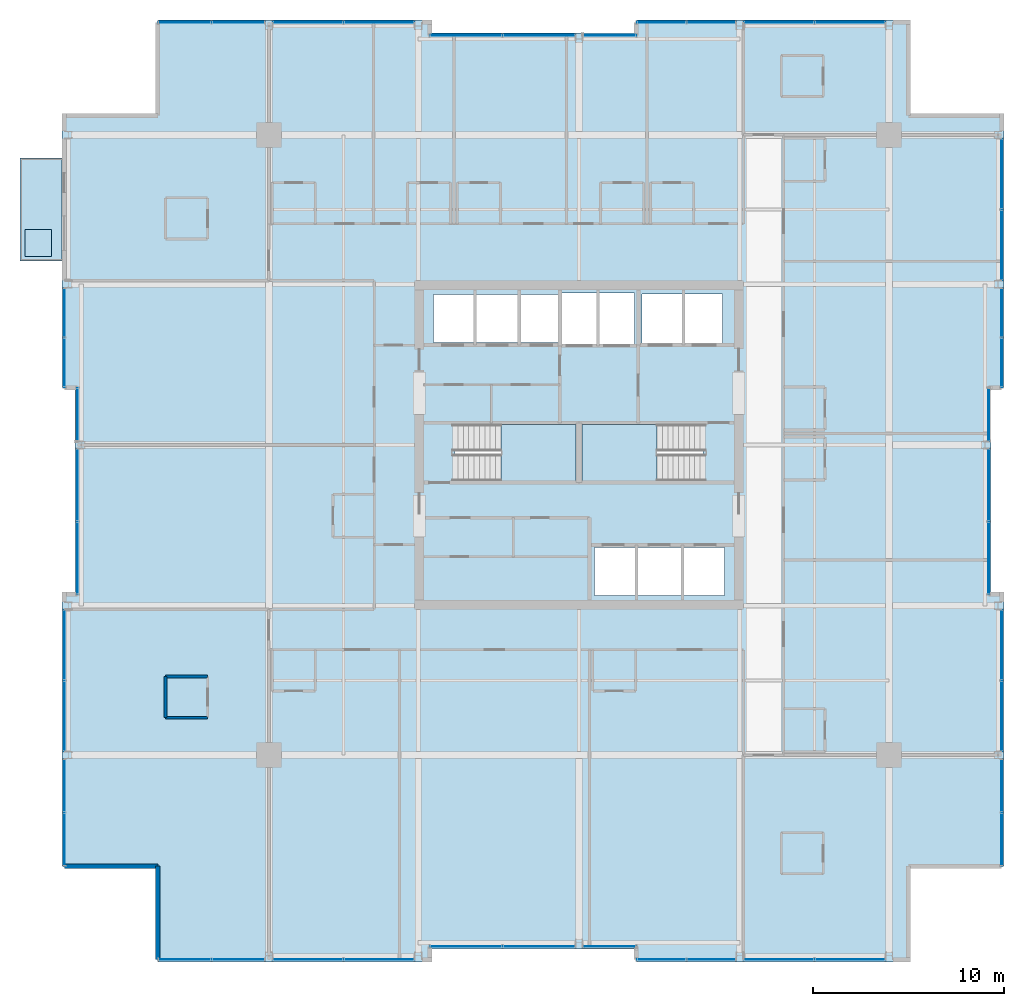
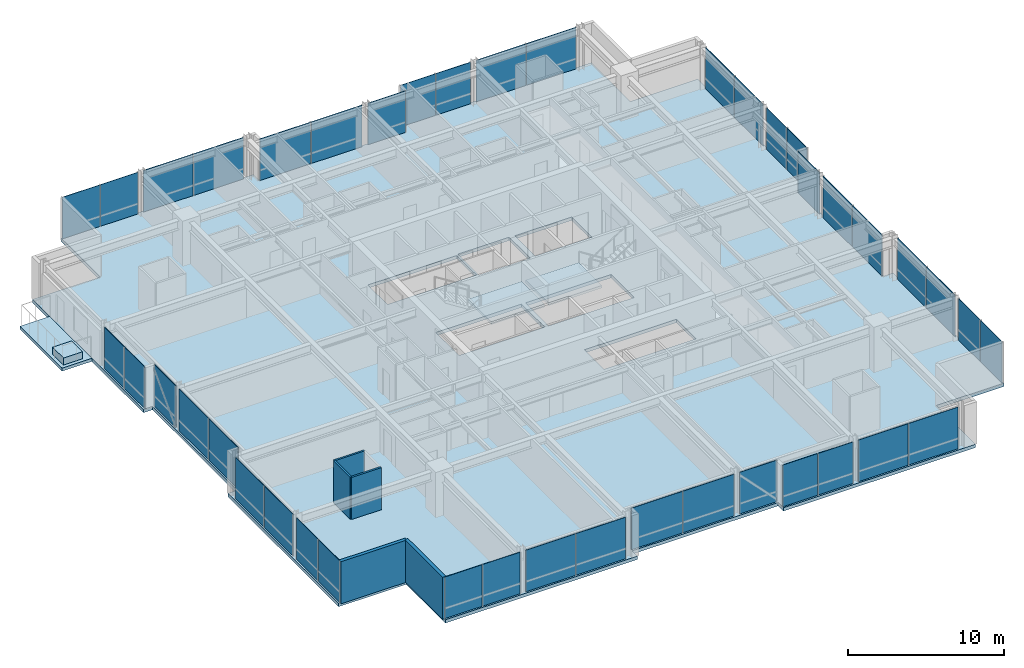
# One storey, part 24 of 32: 42 plates, 5 slabs, 5 walls, 25 elements without a shape of their own.
"""IFC4 building model written with IfcOpenShell, lengths in metres."""

from ifc_helpers import new_model, si_unit, direction, frame, frame_2d, origin, origin_2d, place, context, subcontext, project, spatial, polyline, rectangle, outline, extrude, material, layer, layer_set, type_object, element, aggregate, save


model = new_model("IFC4")

# Units and contexts
model_context = context("Model", 3, precision=1e-05, world=origin(), true_north=direction((0.0, 1.0)))
body_context = subcontext(model_context, "Body", "Model", "MODEL_VIEW")
ifc_project = project(units=[si_unit("LENGTHUNIT", "METRE"), si_unit("AREAUNIT", "SQUARE_METRE"), si_unit("VOLUMEUNIT", "CUBIC_METRE"), si_unit("PLANEANGLEUNIT", "RADIAN"), si_unit("MASSUNIT", "GRAM", prefix="KILO")], contexts=[model_context])

# Site, building, storey
site_placement = place(None, origin())
site = spatial("IfcSite", under=ifc_project, at=site_placement, CompositionType="ELEMENT")
building_placement = place(site_placement, origin())
building = spatial("IfcBuilding", under=site, at=building_placement, Name="Drelvath Grand Hotel", CompositionType="ELEMENT")
storey_placement = place(building_placement, frame((0.0, 0.0, 189.449951171875)))
storey = spatial("IfcBuildingStorey", under=building, at=storey_placement, Name="L49", CompositionType="ELEMENT", Elevation=189.449951171875)

# Slabs
ifc_material_1 = material(Name="Concrete f'c 40 MPa", Category="concrete")
ifc_layer_1 = layer(ifc_material_1, 0.239990234375)
ifc_layer_set_1 = layer_set([ifc_layer_1], Name="Concrete f'c 40 MPa")
slab_type_1 = type_object("IfcSlabType", Name="Cantilevered Tree Balcony Slab 240", PredefinedType="FLOOR", material=ifc_layer_set_1)
slab_1_placement = place(storey_placement, frame((0.0, 0.0, -0.239990234375)))
element("IfcSlab", 1, at=slab_1_placement, inside=storey, type_object=slab_type_1, Name="L49 Cantilevered Tree Balcony Slab 1", PredefinedType="FLOOR", context=body_context, shape_type="SweptSolid", body=[
    extrude(outline(polyline([(-29.199951171875, 36.60009765625), (-27.0, 36.60009765625), (-27.0, 42.0), (-29.199951171875, 42.0), (-29.199951171875, 36.60009765625)])), origin(), (0.0, 0.0, 1.0), 0.239990234375),
])
ifc_layer_2 = layer(ifc_material_1, 0.260009765625)
ifc_layer_set_2 = layer_set([ifc_layer_2], Name="Concrete f'c 40 MPa")
slab_type_2 = type_object("IfcSlabType", Name="Composite RC Floor Slab 260", PredefinedType="FLOOR", material=ifc_layer_set_2)
slab_2_placement = place(storey_placement, frame((0.0, 0.0, -0.260009765625)))
element("IfcSlab", 2, at=slab_2_placement, inside=storey, type_object=slab_type_2, Name="L49 Structural Floor Slab", PredefinedType="FLOOR", context=body_context, shape_type="SweptSolid", body=[
    extrude(outline(polyline([(-22.0, 0.0), (-7.800048828125, 0.0), (-7.800048828125, 0.679931640625), (3.0, 0.679931640625), (3.0, 0.0), (17.199951171875, 0.0), (17.199951171875, 5.0), (22.199951171875, 5.0), (22.199951171875, 19.199951171875), (21.52001953125, 19.199951171875), (21.52001953125, 30.0), (22.199951171875, 30.0), (22.199951171875, 44.199951171875), (17.199951171875, 44.199951171875), (17.199951171875, 49.199951171875), (3.0, 49.199951171875), (3.0, 48.52001953125), (-7.800048828125, 48.52001953125), (-7.800048828125, 49.199951171875), (-22.0, 49.199951171875), (-22.0, 44.199951171875), (-27.0, 44.199951171875), (-27.0, 30.0), (-26.320068359375, 30.0), (-26.320068359375, 19.199951171875), (-27.0, 19.199951171875), (-27.0, 5.0), (-22.0, 5.0), (-22.0, 0.0)]), holes=[polyline([(-6.47998046875, 25.1201171875), (-6.47998046875, 28.080078125), (-0.14990234375, 28.080078125), (-0.14990234375, 25.1201171875), (-6.47998046875, 25.1201171875)]), polyline([(0.14990234375, 25.1201171875), (0.14990234375, 28.080078125), (6.47998046875, 28.080078125), (6.47998046875, 25.1201171875), (0.14990234375, 25.1201171875)]), polyline([(0.800048828125, 19.14990234375), (0.800048828125, 21.64990234375), (7.60009765625, 21.64990234375), (7.60009765625, 19.14990234375), (0.800048828125, 19.14990234375)]), polyline([(-7.60009765625, 32.35009765625), (-7.60009765625, 34.85009765625), (-1.02001953125, 34.85009765625), (-1.02001953125, 32.35009765625), (-7.60009765625, 32.35009765625)]), polyline([(-0.89990234375, 32.25), (-0.89990234375, 34.949951171875), (2.89990234375, 34.949951171875), (2.89990234375, 32.25), (-0.89990234375, 32.25)]), polyline([(3.300048828125, 32.300048828125), (3.300048828125, 34.89990234375), (7.5, 34.89990234375), (7.5, 32.300048828125), (3.300048828125, 32.300048828125)])]), origin(), (0.0, 0.0, 1.0), 0.260009765625),
])

# Stair, slab
ifc_material_2 = material(Name="Concrete C40/50", Category="concrete")
stair_type = type_object("IfcStairType", Name="Dogleg Exit Stair W1400-R177.5", PredefinedType="HALF_TURN_STAIR", material=ifc_material_2)
stair_1_placement = place(storey_placement, origin())
stair_1 = element("IfcStair", 3, at=stair_1_placement, inside=storey, type_object=stair_type, Name="L49 Core Exit Stair ST-1", PredefinedType="HALF_TURN_STAIR")
ifc_layer_3 = layer(ifc_material_2, 0.199951171875)
ifc_layer_set_3 = layer_set([ifc_layer_3], Name="Concrete C40/50")
slab_type_3 = type_object("IfcSlabType", Name="Concrete Stair Landing Slab 200", PredefinedType="LANDING", material=ifc_layer_set_3)
slab_3_placement = place(storey_placement, frame((0.0, 0.0, 1.574951171875)))
slab_3 = element("IfcSlab", 4, at=slab_3_placement, type_object=slab_type_3, Name="ST-1 landing 1", PredefinedType="LANDING", context=body_context, shape_type="SweptSolid", body=[
    extrude(outline(polyline([(-4.080078125, 25.1201171875), (-0.14990234375, 25.1201171875), (-0.14990234375, 28.080078125), (-4.080078125, 28.080078125), (-4.080078125, 25.1201171875)])), origin(), (0.0, 0.0, 1.0), 0.2001953125),
])
aggregate(stair_1, [slab_3])

stair_2_placement = place(storey_placement, origin())
stair_2 = element("IfcStair", 5, at=stair_2_placement, inside=storey, type_object=stair_type, Name="L49 Core Exit Stair ST-2", PredefinedType="HALF_TURN_STAIR")
slab_4_placement = place(storey_placement, frame((0.0, 0.0, 1.574951171875)))
slab_4 = element("IfcSlab", 6, at=slab_4_placement, type_object=slab_type_3, Name="ST-2 landing 1", PredefinedType="LANDING", context=body_context, shape_type="SweptSolid", body=[
    extrude(outline(polyline([(4.080078125, 28.080078125), (0.14990234375, 28.080078125), (0.14990234375, 25.1201171875), (4.080078125, 25.1201171875), (4.080078125, 28.080078125)])), origin(), (0.0, 0.0, 1.0), 0.2001953125),
])
aggregate(stair_2, [slab_4])

# Curtain wall, plates
ifc_material_3 = material(Name="Brushed Pale-Silver Anodised Aluminium Frame", Category="aluminium")
ifc_layer_4 = layer(ifc_material_3, 0.199951171875)
ifc_layer_set_4 = layer_set([ifc_layer_4], Name="Brushed Pale-Silver Anodised Aluminium Frame")
curtain_wall_type = type_object("IfcCurtainWallType", Name="Stick Curtain Wall CW-04 Brushed Silver Upper-Mid", PredefinedType="NOTDEFINED", material=ifc_layer_set_4)
curtain_wall_1_placement = place(storey_placement, origin())
curtain_wall_1 = element("IfcCurtainWall", 7, at=curtain_wall_1_placement, inside=storey, type_object=curtain_wall_type, Name="L49 CW-04 Curtain Wall CW04-L49-WS1", PredefinedType="NOTDEFINED")
ifc_material_4 = material(Name="Low-E Triple Silver Vision Glass Cool", Category="glass")
ifc_layer_5 = layer(ifc_material_4, 0.035888671875)
ifc_layer_set_5 = layer_set([ifc_layer_5], Name="Low-E Triple Silver Vision Glass Cool")
plate_type = type_object("IfcPlateType", Name="Curtain Wall Vision Panel CW-04 36mm", PredefinedType="CURTAIN_PANEL", material=ifc_layer_set_5)
plate_1_placement = place(storey_placement, frame((-26.8798828125, 6.402099609375, 0.02001953125), z_axis=(0.0, 0.0, 1.0), x_axis=(0.0, 1.0, 0.0)))
plate_1 = element("IfcPlate", 8, at=plate_1_placement, type_object=plate_type, Name="CW04-L49-WS1 Glazed Panel 1", PredefinedType="CURTAIN_PANEL", context=body_context, shape_type="SweptSolid", body=[
    extrude(rectangle(XDim=2.76416015625, YDim=0.035888671875, at=origin_2d()), origin(), (0.0, 0.0, 1.0), 3.25),
])
plate_2_placement = place(storey_placement, frame((-26.8798828125, 9.206298828125, 0.02001953125), z_axis=(0.0, 0.0, 1.0), x_axis=(0.0, 1.0, 0.0)))
plate_2 = element("IfcPlate", 9, at=plate_2_placement, type_object=plate_type, Name="CW04-L49-WS1 Glazed Panel 2", PredefinedType="CURTAIN_PANEL", context=body_context, shape_type="SweptSolid", body=[
    extrude(rectangle(XDim=2.76416015625, YDim=0.035888671875, at=origin_2d()), origin(), (0.0, 0.0, 1.0), 3.25),
])
aggregate(curtain_wall_1, [plate_1, plate_2])

curtain_wall_2_placement = place(storey_placement, origin())
curtain_wall_2 = element("IfcCurtainWall", 10, at=curtain_wall_2_placement, inside=storey, type_object=curtain_wall_type, Name="L49 CW-04 Curtain Wall CW04-L49-WS2", PredefinedType="NOTDEFINED")
plate_3_placement = place(storey_placement, frame((-26.8798828125, 12.845947265625, 0.02001953125), z_axis=(0.0, 0.0, 1.0), x_axis=(0.0, 1.0, 0.0)))
plate_3 = element("IfcPlate", 11, at=plate_3_placement, type_object=plate_type, Name="CW04-L49-WS2 Glazed Panel 1", PredefinedType="CURTAIN_PANEL", context=body_context, shape_type="SweptSolid", body=[
    extrude(rectangle(XDim=3.66845703125, YDim=0.035888671875, at=origin_2d()), origin(), (0.0, 0.0, 1.0), 3.25),
])
plate_4_placement = place(storey_placement, frame((-26.8798828125, 16.55419921875, 0.02001953125), z_axis=(0.0, 0.0, 1.0), x_axis=(0.0, 1.0, 0.0)))
plate_4 = element("IfcPlate", 12, at=plate_4_placement, type_object=plate_type, Name="CW04-L49-WS2 Glazed Panel 2", PredefinedType="CURTAIN_PANEL", context=body_context, shape_type="SweptSolid", body=[
    extrude(rectangle(XDim=3.66845703125, YDim=0.035888671875, at=origin_2d()), origin(), (0.0, 0.0, 1.0), 3.25),
])
aggregate(curtain_wall_2, [plate_3, plate_4])

curtain_wall_3_placement = place(storey_placement, origin())
curtain_wall_3 = element("IfcCurtainWall", 13, at=curtain_wall_3_placement, inside=storey, type_object=curtain_wall_type, Name="L49 CW-04 Curtain Wall CW04-L49-WM1", PredefinedType="NOTDEFINED")
plate_5_placement = place(storey_placement, frame((-26.199951171875, 21.10205078125, 0.02001953125), z_axis=(0.0, 0.0, 1.0), x_axis=(0.0, 1.0, 0.0)))
plate_5 = element("IfcPlate", 14, at=plate_5_placement, type_object=plate_type, Name="CW04-L49-WM1 Glazed Panel 1", PredefinedType="CURTAIN_PANEL", context=body_context, shape_type="SweptSolid", body=[
    extrude(rectangle(XDim=3.76416015625, YDim=0.035888671875, at=origin_2d()), origin(), (0.0, 0.0, 1.0), 3.25),
])
plate_6_placement = place(storey_placement, frame((-26.199951171875, 24.90625, 0.02001953125), z_axis=(0.0, 0.0, 1.0), x_axis=(0.0, 1.0, 0.0)))
plate_6 = element("IfcPlate", 15, at=plate_6_placement, type_object=plate_type, Name="CW04-L49-WM1 Glazed Panel 2", PredefinedType="CURTAIN_PANEL", context=body_context, shape_type="SweptSolid", body=[
    extrude(rectangle(XDim=3.76416015625, YDim=0.035888671875, at=origin_2d()), origin(), (0.0, 0.0, 1.0), 3.25),
])
aggregate(curtain_wall_3, [plate_5, plate_6])

# Curtain wall, plate
curtain_wall_4_placement = place(storey_placement, origin())
curtain_wall_4 = element("IfcCurtainWall", 16, at=curtain_wall_4_placement, inside=storey, type_object=curtain_wall_type, Name="L49 CW-04 Curtain Wall CW04-L49-WM2", PredefinedType="NOTDEFINED")
plate_7_placement = place(storey_placement, frame((-26.199951171875, 28.595703125, 0.02001953125), z_axis=(0.0, 0.0, 1.0), x_axis=(0.0, 1.0, 0.0)))
plate_7 = element("IfcPlate", 17, at=plate_7_placement, type_object=plate_type, Name="CW04-L49-WM2 Glazed Panel 1", PredefinedType="CURTAIN_PANEL", context=body_context, shape_type="SweptSolid", body=[
    extrude(rectangle(XDim=2.768310546875, YDim=0.035888671875, at=origin_2d()), origin(), (0.0, 0.0, 1.0), 3.25),
])
aggregate(curtain_wall_4, [plate_7])

# Curtain wall, plates
curtain_wall_5_placement = place(storey_placement, origin())
curtain_wall_5 = element("IfcCurtainWall", 18, at=curtain_wall_5_placement, inside=storey, type_object=curtain_wall_type, Name="L49 CW-04 Curtain Wall CW04-L49-WN1", PredefinedType="NOTDEFINED")
plate_8_placement = place(storey_placement, frame((-26.8798828125, 31.302001953125, 0.02001953125), z_axis=(0.0, 0.0, 1.0), x_axis=(0.0, 1.0, 0.0)))
plate_8 = element("IfcPlate", 19, at=plate_8_placement, type_object=plate_type, Name="CW04-L49-WN1 Glazed Panel 1", PredefinedType="CURTAIN_PANEL", context=body_context, shape_type="SweptSolid", body=[
    extrude(rectangle(XDim=2.564208984375, YDim=0.035888671875, at=origin_2d()), origin(), (0.0, 0.0, 1.0), 3.25),
])
plate_9_placement = place(storey_placement, frame((-26.8798828125, 33.90625, 0.02001953125), z_axis=(0.0, 0.0, 1.0), x_axis=(0.0, 1.0, 0.0)))
plate_9 = element("IfcPlate", 20, at=plate_9_placement, type_object=plate_type, Name="CW04-L49-WN1 Glazed Panel 2", PredefinedType="CURTAIN_PANEL", context=body_context, shape_type="SweptSolid", body=[
    extrude(rectangle(XDim=2.564208984375, YDim=0.035888671875, at=origin_2d()), origin(), (0.0, 0.0, 1.0), 3.25),
])
aggregate(curtain_wall_5, [plate_8, plate_9])

curtain_wall_6_placement = place(storey_placement, origin())
curtain_wall_6 = element("IfcCurtainWall", 21, at=curtain_wall_6_placement, inside=storey, type_object=curtain_wall_type, Name="L49 CW-04 Curtain Wall CW04-L49-EN1", PredefinedType="NOTDEFINED")
plate_10_placement = place(storey_placement, frame((22.080078125, 33.90625, 0.02001953125), z_axis=(0.0, 0.0, 1.0), x_axis=(0.0, -1.0, 0.0)))
plate_10 = element("IfcPlate", 22, at=plate_10_placement, type_object=plate_type, Name="CW04-L49-EN1 Glazed Panel 1", PredefinedType="CURTAIN_PANEL", context=body_context, shape_type="SweptSolid", body=[
    extrude(rectangle(XDim=2.564208984375, YDim=0.035888671875, at=origin_2d()), origin(), (0.0, 0.0, 1.0), 3.25),
])
plate_11_placement = place(storey_placement, frame((22.080078125, 31.302001953125, 0.02001953125), z_axis=(0.0, 0.0, 1.0), x_axis=(0.0, -1.0, 0.0)))
plate_11 = element("IfcPlate", 23, at=plate_11_placement, type_object=plate_type, Name="CW04-L49-EN1 Glazed Panel 2", PredefinedType="CURTAIN_PANEL", context=body_context, shape_type="SweptSolid", body=[
    extrude(rectangle(XDim=2.564208984375, YDim=0.035888671875, at=origin_2d()), origin(), (0.0, 0.0, 1.0), 3.25),
])
aggregate(curtain_wall_6, [plate_10, plate_11])

curtain_wall_7_placement = place(storey_placement, origin())
curtain_wall_7 = element("IfcCurtainWall", 24, at=curtain_wall_7_placement, inside=storey, type_object=curtain_wall_type, Name="L49 CW-04 Curtain Wall CW04-L49-EN2", PredefinedType="NOTDEFINED")
plate_12_placement = place(storey_placement, frame((22.080078125, 41.154296875, 0.02001953125), z_axis=(0.0, 0.0, 1.0), x_axis=(0.0, -1.0, 0.0)))
plate_12 = element("IfcPlate", 25, at=plate_12_placement, type_object=plate_type, Name="CW04-L49-EN2 Glazed Panel 1", PredefinedType="CURTAIN_PANEL", context=body_context, shape_type="SweptSolid", body=[
    extrude(rectangle(XDim=3.66845703125, YDim=0.035888671875, at=origin_2d()), origin(), (0.0, 0.0, 1.0), 3.25),
])
plate_13_placement = place(storey_placement, frame((22.080078125, 37.44580078125, 0.02001953125), z_axis=(0.0, 0.0, 1.0), x_axis=(0.0, -1.0, 0.0)))
plate_13 = element("IfcPlate", 26, at=plate_13_placement, type_object=plate_type, Name="CW04-L49-EN2 Glazed Panel 2", PredefinedType="CURTAIN_PANEL", context=body_context, shape_type="SweptSolid", body=[
    extrude(rectangle(XDim=3.66845703125, YDim=0.035888671875, at=origin_2d()), origin(), (0.0, 0.0, 1.0), 3.25),
])
aggregate(curtain_wall_7, [plate_12, plate_13])

curtain_wall_8_placement = place(storey_placement, origin())
curtain_wall_8 = element("IfcCurtainWall", 27, at=curtain_wall_8_placement, inside=storey, type_object=curtain_wall_type, Name="L49 CW-04 Curtain Wall CW04-L49-EM1", PredefinedType="NOTDEFINED")
plate_14_placement = place(storey_placement, frame((21.39990234375, 24.90625, 0.02001953125), z_axis=(0.0, 0.0, 1.0), x_axis=(0.0, -1.0, 0.0)))
plate_14 = element("IfcPlate", 28, at=plate_14_placement, type_object=plate_type, Name="CW04-L49-EM1 Glazed Panel 1", PredefinedType="CURTAIN_PANEL", context=body_context, shape_type="SweptSolid", body=[
    extrude(rectangle(XDim=3.76416015625, YDim=0.035888671875, at=origin_2d()), origin(), (0.0, 0.0, 1.0), 3.25),
])
plate_15_placement = place(storey_placement, frame((21.39990234375, 21.10205078125, 0.02001953125), z_axis=(0.0, 0.0, 1.0), x_axis=(0.0, -1.0, 0.0)))
plate_15 = element("IfcPlate", 29, at=plate_15_placement, type_object=plate_type, Name="CW04-L49-EM1 Glazed Panel 2", PredefinedType="CURTAIN_PANEL", context=body_context, shape_type="SweptSolid", body=[
    extrude(rectangle(XDim=3.76416015625, YDim=0.035888671875, at=origin_2d()), origin(), (0.0, 0.0, 1.0), 3.25),
])
aggregate(curtain_wall_8, [plate_14, plate_15])

# Curtain wall, plate
curtain_wall_9_placement = place(storey_placement, origin())
curtain_wall_9 = element("IfcCurtainWall", 30, at=curtain_wall_9_placement, inside=storey, type_object=curtain_wall_type, Name="L49 CW-04 Curtain Wall CW04-L49-EM2", PredefinedType="NOTDEFINED")
plate_16_placement = place(storey_placement, frame((21.39990234375, 28.595703125, 0.02001953125), z_axis=(0.0, 0.0, 1.0), x_axis=(0.0, -1.0, 0.0)))
plate_16 = element("IfcPlate", 31, at=plate_16_placement, type_object=plate_type, Name="CW04-L49-EM2 Glazed Panel 1", PredefinedType="CURTAIN_PANEL", context=body_context, shape_type="SweptSolid", body=[
    extrude(rectangle(XDim=2.768310546875, YDim=0.035888671875, at=origin_2d()), origin(), (0.0, 0.0, 1.0), 3.25),
])
aggregate(curtain_wall_9, [plate_16])

# Curtain wall, plates
curtain_wall_10_placement = place(storey_placement, origin())
curtain_wall_10 = element("IfcCurtainWall", 32, at=curtain_wall_10_placement, inside=storey, type_object=curtain_wall_type, Name="L49 CW-04 Curtain Wall CW04-L49-ES1", PredefinedType="NOTDEFINED")
plate_17_placement = place(storey_placement, frame((22.080078125, 9.206298828125, 0.02001953125), z_axis=(0.0, 0.0, 1.0), x_axis=(0.0, -1.0, 0.0)))
plate_17 = element("IfcPlate", 33, at=plate_17_placement, type_object=plate_type, Name="CW04-L49-ES1 Glazed Panel 1", PredefinedType="CURTAIN_PANEL", context=body_context, shape_type="SweptSolid", body=[
    extrude(rectangle(XDim=2.76416015625, YDim=0.035888671875, at=origin_2d()), origin(), (0.0, 0.0, 1.0), 3.25),
])
plate_18_placement = place(storey_placement, frame((22.080078125, 6.402099609375, 0.02001953125), z_axis=(0.0, 0.0, 1.0), x_axis=(0.0, -1.0, 0.0)))
plate_18 = element("IfcPlate", 34, at=plate_18_placement, type_object=plate_type, Name="CW04-L49-ES1 Glazed Panel 2", PredefinedType="CURTAIN_PANEL", context=body_context, shape_type="SweptSolid", body=[
    extrude(rectangle(XDim=2.76416015625, YDim=0.035888671875, at=origin_2d()), origin(), (0.0, 0.0, 1.0), 3.25),
])
aggregate(curtain_wall_10, [plate_17, plate_18])

curtain_wall_11_placement = place(storey_placement, origin())
curtain_wall_11 = element("IfcCurtainWall", 35, at=curtain_wall_11_placement, inside=storey, type_object=curtain_wall_type, Name="L49 CW-04 Curtain Wall CW04-L49-ES2", PredefinedType="NOTDEFINED")
plate_19_placement = place(storey_placement, frame((22.080078125, 16.55419921875, 0.02001953125), z_axis=(0.0, 0.0, 1.0), x_axis=(0.0, -1.0, 0.0)))
plate_19 = element("IfcPlate", 36, at=plate_19_placement, type_object=plate_type, Name="CW04-L49-ES2 Glazed Panel 1", PredefinedType="CURTAIN_PANEL", context=body_context, shape_type="SweptSolid", body=[
    extrude(rectangle(XDim=3.66845703125, YDim=0.035888671875, at=origin_2d()), origin(), (0.0, 0.0, 1.0), 3.25),
])
plate_20_placement = place(storey_placement, frame((22.080078125, 12.845947265625, 0.02001953125), z_axis=(0.0, 0.0, 1.0), x_axis=(0.0, -1.0, 0.0)))
plate_20 = element("IfcPlate", 37, at=plate_20_placement, type_object=plate_type, Name="CW04-L49-ES2 Glazed Panel 2", PredefinedType="CURTAIN_PANEL", context=body_context, shape_type="SweptSolid", body=[
    extrude(rectangle(XDim=3.66845703125, YDim=0.035888671875, at=origin_2d()), origin(), (0.0, 0.0, 1.0), 3.25),
])
aggregate(curtain_wall_11, [plate_19, plate_20])

curtain_wall_12_placement = place(storey_placement, origin())
curtain_wall_12 = element("IfcCurtainWall", 38, at=curtain_wall_12_placement, inside=storey, type_object=curtain_wall_type, Name="L49 CW-04 Curtain Wall CW04-L49-NW1", PredefinedType="NOTDEFINED")
plate_21_placement = place(storey_placement, frame((-20.597900390625, 49.080078125, 0.02001953125), z_axis=(0.0, 0.0, 1.0), x_axis=(1.0, 0.0, 0.0)))
plate_21 = element("IfcPlate", 39, at=plate_21_placement, type_object=plate_type, Name="CW04-L49-NW1 Glazed Panel 1", PredefinedType="CURTAIN_PANEL", context=body_context, shape_type="SweptSolid", body=[
    extrude(rectangle(XDim=2.76416015625, YDim=0.035888671875, at=origin_2d()), origin(), (0.0, 0.0, 1.0), 3.25),
])
plate_22_placement = place(storey_placement, frame((-17.793701171875, 49.080078125, 0.02001953125), z_axis=(0.0, 0.0, 1.0), x_axis=(1.0, 0.0, 0.0)))
plate_22 = element("IfcPlate", 40, at=plate_22_placement, type_object=plate_type, Name="CW04-L49-NW1 Glazed Panel 2", PredefinedType="CURTAIN_PANEL", context=body_context, shape_type="SweptSolid", body=[
    extrude(rectangle(XDim=2.76416015625, YDim=0.035888671875, at=origin_2d()), origin(), (0.0, 0.0, 1.0), 3.25),
])
aggregate(curtain_wall_12, [plate_21, plate_22])

curtain_wall_13_placement = place(storey_placement, origin())
curtain_wall_13 = element("IfcCurtainWall", 41, at=curtain_wall_13_placement, inside=storey, type_object=curtain_wall_type, Name="L49 CW-04 Curtain Wall CW04-L49-NW2", PredefinedType="NOTDEFINED")
plate_23_placement = place(storey_placement, frame((-14.154296875, 49.080078125, 0.02001953125), z_axis=(0.0, 0.0, 1.0), x_axis=(1.0, 0.0, 0.0)))
plate_23 = element("IfcPlate", 42, at=plate_23_placement, type_object=plate_type, Name="CW04-L49-NW2 Glazed Panel 1", PredefinedType="CURTAIN_PANEL", context=body_context, shape_type="SweptSolid", body=[
    extrude(rectangle(XDim=3.66845703125, YDim=0.035888671875, at=origin_2d()), origin(), (0.0, 0.0, 1.0), 3.25),
])
plate_24_placement = place(storey_placement, frame((-10.44580078125, 49.080078125, 0.02001953125), z_axis=(0.0, 0.0, 1.0), x_axis=(1.0, 0.0, 0.0)))
plate_24 = element("IfcPlate", 43, at=plate_24_placement, type_object=plate_type, Name="CW04-L49-NW2 Glazed Panel 2", PredefinedType="CURTAIN_PANEL", context=body_context, shape_type="SweptSolid", body=[
    extrude(rectangle(XDim=3.66845703125, YDim=0.035888671875, at=origin_2d()), origin(), (0.0, 0.0, 1.0), 3.25),
])
aggregate(curtain_wall_13, [plate_23, plate_24])

curtain_wall_14_placement = place(storey_placement, origin())
curtain_wall_14 = element("IfcCurtainWall", 44, at=curtain_wall_14_placement, inside=storey, type_object=curtain_wall_type, Name="L49 CW-04 Curtain Wall CW04-L49-NM1", PredefinedType="NOTDEFINED")
plate_25_placement = place(storey_placement, frame((-5.89794921875, 48.39990234375, 0.02001953125), z_axis=(0.0, 0.0, 1.0), x_axis=(1.0, 0.0, 0.0)))
plate_25 = element("IfcPlate", 45, at=plate_25_placement, type_object=plate_type, Name="CW04-L49-NM1 Glazed Panel 1", PredefinedType="CURTAIN_PANEL", context=body_context, shape_type="SweptSolid", body=[
    extrude(rectangle(XDim=3.76416015625, YDim=0.035888671875, at=origin_2d()), origin(), (0.0, 0.0, 1.0), 3.25),
])
plate_26_placement = place(storey_placement, frame((-2.09375, 48.39990234375, 0.02001953125), z_axis=(0.0, 0.0, 1.0), x_axis=(1.0, 0.0, 0.0)))
plate_26 = element("IfcPlate", 46, at=plate_26_placement, type_object=plate_type, Name="CW04-L49-NM1 Glazed Panel 2", PredefinedType="CURTAIN_PANEL", context=body_context, shape_type="SweptSolid", body=[
    extrude(rectangle(XDim=3.76416015625, YDim=0.035888671875, at=origin_2d()), origin(), (0.0, 0.0, 1.0), 3.25),
])
aggregate(curtain_wall_14, [plate_25, plate_26])

# Curtain wall, plate
curtain_wall_15_placement = place(storey_placement, origin())
curtain_wall_15 = element("IfcCurtainWall", 47, at=curtain_wall_15_placement, inside=storey, type_object=curtain_wall_type, Name="L49 CW-04 Curtain Wall CW04-L49-NM2", PredefinedType="NOTDEFINED")
plate_27_placement = place(storey_placement, frame((1.595703125, 48.39990234375, 0.02001953125), z_axis=(0.0, 0.0, 1.0), x_axis=(1.0, 0.0, 0.0)))
plate_27 = element("IfcPlate", 48, at=plate_27_placement, type_object=plate_type, Name="CW04-L49-NM2 Glazed Panel 1", PredefinedType="CURTAIN_PANEL", context=body_context, shape_type="SweptSolid", body=[
    extrude(rectangle(XDim=2.768310546875, YDim=0.035888671875, at=origin_2d()), origin(), (0.0, 0.0, 1.0), 3.25),
])
aggregate(curtain_wall_15, [plate_27])

# Curtain wall, plates
curtain_wall_16_placement = place(storey_placement, origin())
curtain_wall_16 = element("IfcCurtainWall", 49, at=curtain_wall_16_placement, inside=storey, type_object=curtain_wall_type, Name="L49 CW-04 Curtain Wall CW04-L49-NE1", PredefinedType="NOTDEFINED")
plate_28_placement = place(storey_placement, frame((4.302001953125, 49.080078125, 0.02001953125), z_axis=(0.0, 0.0, 1.0), x_axis=(1.0, 0.0, 0.0)))
plate_28 = element("IfcPlate", 50, at=plate_28_placement, type_object=plate_type, Name="CW04-L49-NE1 Glazed Panel 1", PredefinedType="CURTAIN_PANEL", context=body_context, shape_type="SweptSolid", body=[
    extrude(rectangle(XDim=2.564208984375, YDim=0.035888671875, at=origin_2d()), origin(), (0.0, 0.0, 1.0), 3.25),
])
plate_29_placement = place(storey_placement, frame((6.90625, 49.080078125, 0.02001953125), z_axis=(0.0, 0.0, 1.0), x_axis=(1.0, 0.0, 0.0)))
plate_29 = element("IfcPlate", 51, at=plate_29_placement, type_object=plate_type, Name="CW04-L49-NE1 Glazed Panel 2", PredefinedType="CURTAIN_PANEL", context=body_context, shape_type="SweptSolid", body=[
    extrude(rectangle(XDim=2.564208984375, YDim=0.035888671875, at=origin_2d()), origin(), (0.0, 0.0, 1.0), 3.25),
])
aggregate(curtain_wall_16, [plate_28, plate_29])

curtain_wall_17_placement = place(storey_placement, origin())
curtain_wall_17 = element("IfcCurtainWall", 52, at=curtain_wall_17_placement, inside=storey, type_object=curtain_wall_type, Name="L49 CW-04 Curtain Wall CW04-L49-NE2", PredefinedType="NOTDEFINED")
plate_30_placement = place(storey_placement, frame((10.44580078125, 49.080078125, 0.02001953125), z_axis=(0.0, 0.0, 1.0), x_axis=(1.0, 0.0, 0.0)))
plate_30 = element("IfcPlate", 53, at=plate_30_placement, type_object=plate_type, Name="CW04-L49-NE2 Glazed Panel 1", PredefinedType="CURTAIN_PANEL", context=body_context, shape_type="SweptSolid", body=[
    extrude(rectangle(XDim=3.66845703125, YDim=0.035888671875, at=origin_2d()), origin(), (0.0, 0.0, 1.0), 3.25),
])
plate_31_placement = place(storey_placement, frame((14.154296875, 49.080078125, 0.02001953125), z_axis=(0.0, 0.0, 1.0), x_axis=(1.0, 0.0, 0.0)))
plate_31 = element("IfcPlate", 54, at=plate_31_placement, type_object=plate_type, Name="CW04-L49-NE2 Glazed Panel 2", PredefinedType="CURTAIN_PANEL", context=body_context, shape_type="SweptSolid", body=[
    extrude(rectangle(XDim=3.66845703125, YDim=0.035888671875, at=origin_2d()), origin(), (0.0, 0.0, 1.0), 3.25),
])
aggregate(curtain_wall_17, [plate_30, plate_31])

curtain_wall_18_placement = place(storey_placement, origin())
curtain_wall_18 = element("IfcCurtainWall", 55, at=curtain_wall_18_placement, inside=storey, type_object=curtain_wall_type, Name="L49 CW-04 Curtain Wall CW04-L49-SE1", PredefinedType="NOTDEFINED")
plate_32_placement = place(storey_placement, frame((6.90625, 0.1201171875, 0.02001953125), z_axis=(0.0, 0.0, 1.0), x_axis=(-1.0, 0.0, 0.0)))
plate_32 = element("IfcPlate", 56, at=plate_32_placement, type_object=plate_type, Name="CW04-L49-SE1 Glazed Panel 1", PredefinedType="CURTAIN_PANEL", context=body_context, shape_type="SweptSolid", body=[
    extrude(rectangle(XDim=2.564208984375, YDim=0.035888671875, at=origin_2d()), origin(), (0.0, 0.0, 1.0), 3.25),
])
plate_33_placement = place(storey_placement, frame((4.302001953125, 0.1201171875, 0.02001953125), z_axis=(0.0, 0.0, 1.0), x_axis=(-1.0, 0.0, 0.0)))
plate_33 = element("IfcPlate", 57, at=plate_33_placement, type_object=plate_type, Name="CW04-L49-SE1 Glazed Panel 2", PredefinedType="CURTAIN_PANEL", context=body_context, shape_type="SweptSolid", body=[
    extrude(rectangle(XDim=2.564208984375, YDim=0.035888671875, at=origin_2d()), origin(), (0.0, 0.0, 1.0), 3.25),
])
aggregate(curtain_wall_18, [plate_32, plate_33])

curtain_wall_19_placement = place(storey_placement, origin())
curtain_wall_19 = element("IfcCurtainWall", 58, at=curtain_wall_19_placement, inside=storey, type_object=curtain_wall_type, Name="L49 CW-04 Curtain Wall CW04-L49-SE2", PredefinedType="NOTDEFINED")
plate_34_placement = place(storey_placement, frame((14.154296875, 0.1201171875, 0.02001953125), z_axis=(0.0, 0.0, 1.0), x_axis=(-1.0, 0.0, 0.0)))
plate_34 = element("IfcPlate", 59, at=plate_34_placement, type_object=plate_type, Name="CW04-L49-SE2 Glazed Panel 1", PredefinedType="CURTAIN_PANEL", context=body_context, shape_type="SweptSolid", body=[
    extrude(rectangle(XDim=3.66845703125, YDim=0.035888671875, at=origin_2d()), origin(), (0.0, 0.0, 1.0), 3.25),
])
plate_35_placement = place(storey_placement, frame((10.44580078125, 0.1201171875, 0.02001953125), z_axis=(0.0, 0.0, 1.0), x_axis=(-1.0, 0.0, 0.0)))
plate_35 = element("IfcPlate", 60, at=plate_35_placement, type_object=plate_type, Name="CW04-L49-SE2 Glazed Panel 2", PredefinedType="CURTAIN_PANEL", context=body_context, shape_type="SweptSolid", body=[
    extrude(rectangle(XDim=3.66845703125, YDim=0.035888671875, at=origin_2d()), origin(), (0.0, 0.0, 1.0), 3.25),
])
aggregate(curtain_wall_19, [plate_34, plate_35])

curtain_wall_20_placement = place(storey_placement, origin())
curtain_wall_20 = element("IfcCurtainWall", 61, at=curtain_wall_20_placement, inside=storey, type_object=curtain_wall_type, Name="L49 CW-04 Curtain Wall CW04-L49-SM1", PredefinedType="NOTDEFINED")
plate_36_placement = place(storey_placement, frame((-2.09375, 0.800048828125, 0.02001953125), z_axis=(0.0, 0.0, 1.0), x_axis=(-1.0, 0.0, 0.0)))
plate_36 = element("IfcPlate", 62, at=plate_36_placement, type_object=plate_type, Name="CW04-L49-SM1 Glazed Panel 1", PredefinedType="CURTAIN_PANEL", context=body_context, shape_type="SweptSolid", body=[
    extrude(rectangle(XDim=3.76416015625, YDim=0.035888671875, at=origin_2d()), origin(), (0.0, 0.0, 1.0), 3.25),
])
plate_37_placement = place(storey_placement, frame((-5.89794921875, 0.800048828125, 0.02001953125), z_axis=(0.0, 0.0, 1.0), x_axis=(-1.0, 0.0, 0.0)))
plate_37 = element("IfcPlate", 63, at=plate_37_placement, type_object=plate_type, Name="CW04-L49-SM1 Glazed Panel 2", PredefinedType="CURTAIN_PANEL", context=body_context, shape_type="SweptSolid", body=[
    extrude(rectangle(XDim=3.76416015625, YDim=0.035888671875, at=origin_2d()), origin(), (0.0, 0.0, 1.0), 3.25),
])
aggregate(curtain_wall_20, [plate_36, plate_37])

# Curtain wall, plate
curtain_wall_21_placement = place(storey_placement, origin())
curtain_wall_21 = element("IfcCurtainWall", 64, at=curtain_wall_21_placement, inside=storey, type_object=curtain_wall_type, Name="L49 CW-04 Curtain Wall CW04-L49-SM2", PredefinedType="NOTDEFINED")
plate_38_placement = place(storey_placement, frame((1.595703125, 0.800048828125, 0.02001953125), z_axis=(0.0, 0.0, 1.0), x_axis=(-1.0, 0.0, 0.0)))
plate_38 = element("IfcPlate", 65, at=plate_38_placement, type_object=plate_type, Name="CW04-L49-SM2 Glazed Panel 1", PredefinedType="CURTAIN_PANEL", context=body_context, shape_type="SweptSolid", body=[
    extrude(rectangle(XDim=2.768310546875, YDim=0.035888671875, at=origin_2d()), origin(), (0.0, 0.0, 1.0), 3.25),
])
aggregate(curtain_wall_21, [plate_38])

# Curtain wall, plates
curtain_wall_22_placement = place(storey_placement, origin())
curtain_wall_22 = element("IfcCurtainWall", 66, at=curtain_wall_22_placement, inside=storey, type_object=curtain_wall_type, Name="L49 CW-04 Curtain Wall CW04-L49-SW1", PredefinedType="NOTDEFINED")
plate_39_placement = place(storey_placement, frame((-17.793701171875, 0.1201171875, 0.02001953125), z_axis=(0.0, 0.0, 1.0), x_axis=(-1.0, 0.0, 0.0)))
plate_39 = element("IfcPlate", 67, at=plate_39_placement, type_object=plate_type, Name="CW04-L49-SW1 Glazed Panel 1", PredefinedType="CURTAIN_PANEL", context=body_context, shape_type="SweptSolid", body=[
    extrude(rectangle(XDim=2.76416015625, YDim=0.035888671875, at=origin_2d()), origin(), (0.0, 0.0, 1.0), 3.25),
])
plate_40_placement = place(storey_placement, frame((-20.597900390625, 0.1201171875, 0.02001953125), z_axis=(0.0, 0.0, 1.0), x_axis=(-1.0, 0.0, 0.0)))
plate_40 = element("IfcPlate", 68, at=plate_40_placement, type_object=plate_type, Name="CW04-L49-SW1 Glazed Panel 2", PredefinedType="CURTAIN_PANEL", context=body_context, shape_type="SweptSolid", body=[
    extrude(rectangle(XDim=2.76416015625, YDim=0.035888671875, at=origin_2d()), origin(), (0.0, 0.0, 1.0), 3.25),
])
aggregate(curtain_wall_22, [plate_39, plate_40])

curtain_wall_23_placement = place(storey_placement, origin())
curtain_wall_23 = element("IfcCurtainWall", 69, at=curtain_wall_23_placement, inside=storey, type_object=curtain_wall_type, Name="L49 CW-04 Curtain Wall CW04-L49-SW2", PredefinedType="NOTDEFINED")
plate_41_placement = place(storey_placement, frame((-10.44580078125, 0.1201171875, 0.02001953125), z_axis=(0.0, 0.0, 1.0), x_axis=(-1.0, 0.0, 0.0)))
plate_41 = element("IfcPlate", 70, at=plate_41_placement, type_object=plate_type, Name="CW04-L49-SW2 Glazed Panel 1", PredefinedType="CURTAIN_PANEL", context=body_context, shape_type="SweptSolid", body=[
    extrude(rectangle(XDim=3.66845703125, YDim=0.035888671875, at=origin_2d()), origin(), (0.0, 0.0, 1.0), 3.25),
])
plate_42_placement = place(storey_placement, frame((-14.154296875, 0.1201171875, 0.02001953125), z_axis=(0.0, 0.0, 1.0), x_axis=(-1.0, 0.0, 0.0)))
plate_42 = element("IfcPlate", 71, at=plate_42_placement, type_object=plate_type, Name="CW04-L49-SW2 Glazed Panel 2", PredefinedType="CURTAIN_PANEL", context=body_context, shape_type="SweptSolid", body=[
    extrude(rectangle(XDim=3.66845703125, YDim=0.035888671875, at=origin_2d()), origin(), (0.0, 0.0, 1.0), 3.25),
])
aggregate(curtain_wall_23, [plate_41, plate_42])

# Slab
ifc_layer_6 = layer(ifc_material_1, 0.550048828125)
ifc_layer_set_6 = layer_set([ifc_layer_6], Name="Concrete f'c 40 MPa")
slab_type_4 = type_object("IfcSlabType", Name="Structural Tree Planter Box 550", PredefinedType="USERDEFINED", material=ifc_layer_set_6)
slab_5_placement = place(storey_placement, origin())
element("IfcSlab", 72, at=slab_5_placement, inside=storey, type_object=slab_type_4, Name="L49 Tree Balcony Structural Planter 1", ObjectType="PLANTER", PredefinedType="USERDEFINED", context=body_context, shape_type="SweptSolid", body=[
    extrude(outline(polyline([(-28.949951171875, 36.85009765625), (-27.550048828125, 36.85009765625), (-27.550048828125, 38.25), (-28.949951171875, 38.25), (-28.949951171875, 36.85009765625)])), origin(), (0.0, 0.0, 1.0), 0.550048828125),
])

# Walls
ifc_material_5 = material(Name="Moisture-Resistant Gypsum Board")
ifc_layer_7 = layer(ifc_material_5, 0.139892578125)
ifc_layer_set_7 = layer_set([ifc_layer_7], Name="Moisture-Resistant Gypsum Board")
wall_type_1 = type_object("IfcWallType", Name="En-Suite Plumbing Wall 140", PredefinedType="PLUMBINGWALL", material=ifc_layer_set_7)
for number, where, z_axis, x_axis, name in (
    (73, (-21.60009765625, 12.760009765625, 0.0), (0.0, 0.0, 1.0), (1.0, 0.0, 0.0), "L49 Corner En-Suite South"),
    (74, (-21.60009765625, 14.909912109375, 0.0), (0.0, 0.0, 1.0), (1.0, 0.0, 0.0), "L49 Corner En-Suite North"),
):
    element("IfcWall", number, at=place(storey_placement, frame(where, z_axis=z_axis, x_axis=x_axis)), inside=storey, type_object=wall_type_1, Name=name, PredefinedType="PLUMBINGWALL", context=body_context, shape_type="SweptSolid", body=[
        extrude(rectangle(XDim=2.2001953125, YDim=0.139892578125, at=frame_2d((1.10009765625, 0.0))), origin(), (0.0, 0.0, 1.0), 3.2900390625),
    ])
wall_placement = place(storey_placement, frame((-21.60009765625, 12.760009765625, 0.0), z_axis=(0.0, 0.0, 1.0), x_axis=(0.0, 1.0, 0.0)))
element("IfcWall", 75, at=wall_placement, inside=storey, type_object=wall_type_1, Name="L49 Corner En-Suite West", PredefinedType="PLUMBINGWALL", context=body_context, shape_type="SweptSolid", body=[
    extrude(rectangle(XDim=2.14990234375, YDim=0.139892578125, at=frame_2d((1.074951171875, 0.0))), origin(), (0.0, 0.0, 1.0), 3.2900390625),
])
ifc_material_6 = material(Name="Pale-Metal Insulated Aluminium Spandrel Assembly", Category="aluminium")
ifc_layer_8 = layer(ifc_material_6, 0.239990234375)
ifc_layer_set_8 = layer_set([ifc_layer_8], Name="Pale-Metal Insulated Aluminium Spandrel Assembly")
wall_type_2 = type_object("IfcWallType", Name="Tower Insulated Metal Spandrel Closure Wall 240", PredefinedType="STANDARD", material=ifc_layer_set_8)
for number, where, z_axis, x_axis, name in (
    (76, (-22.0, 0.1201171875, 0.0), (0.0, 0.0, 1.0), (0.0, 1.0, 0.0), "L49 Notched Corner Return Spandrel Wall CSW1"),
    (77, (-22.0, 5.0, 0.0), (0.0, 0.0, 1.0), (-1.0, 0.0, 0.0), "L49 Notched Corner Return Spandrel Wall CSW2"),
):
    element("IfcWall", number, at=place(storey_placement, frame(where, z_axis=z_axis, x_axis=x_axis)), inside=storey, type_object=wall_type_2, Name=name, PredefinedType="STANDARD", context=body_context, shape_type="SweptSolid", body=[
        extrude(rectangle(XDim=4.8798828125, YDim=0.239990234375, at=frame_2d((2.43994140625, 0.0))), origin(), (0.0, 0.0, 1.0), 3.2900390625),
    ])

save(model, "model.ifc")
